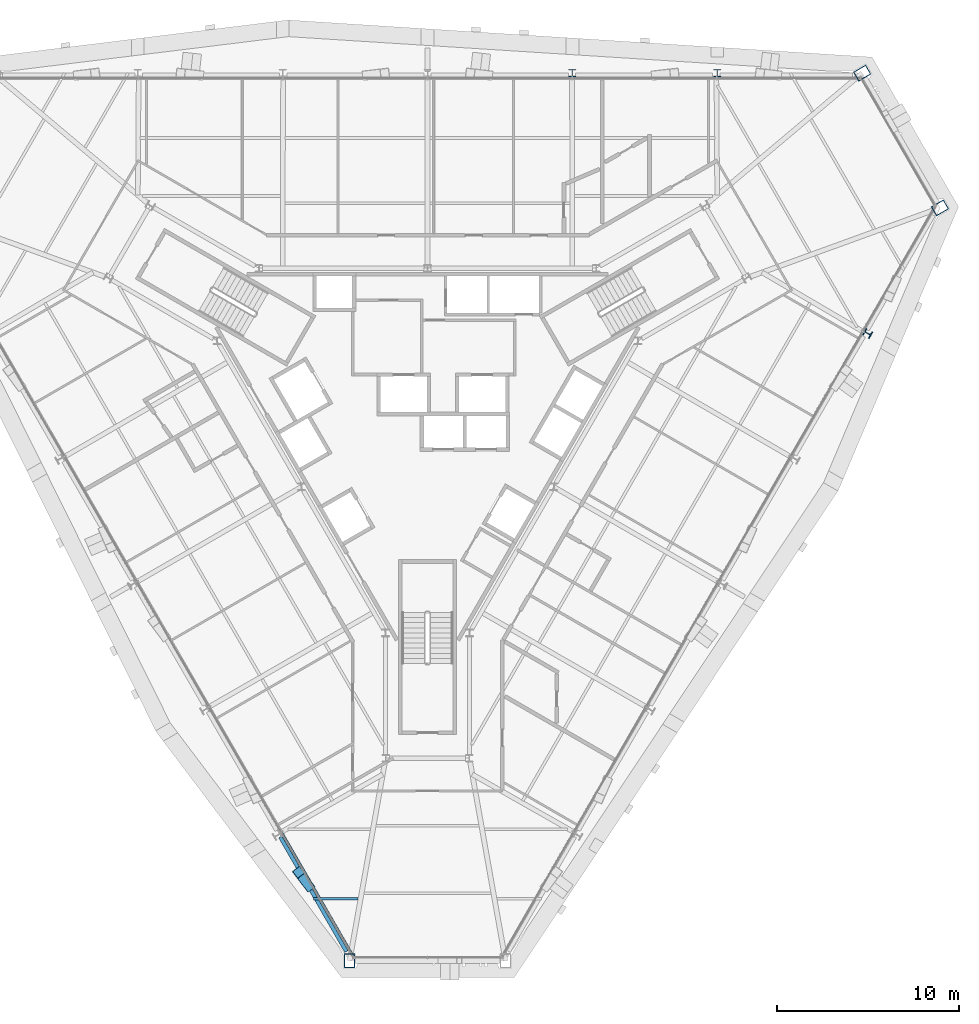
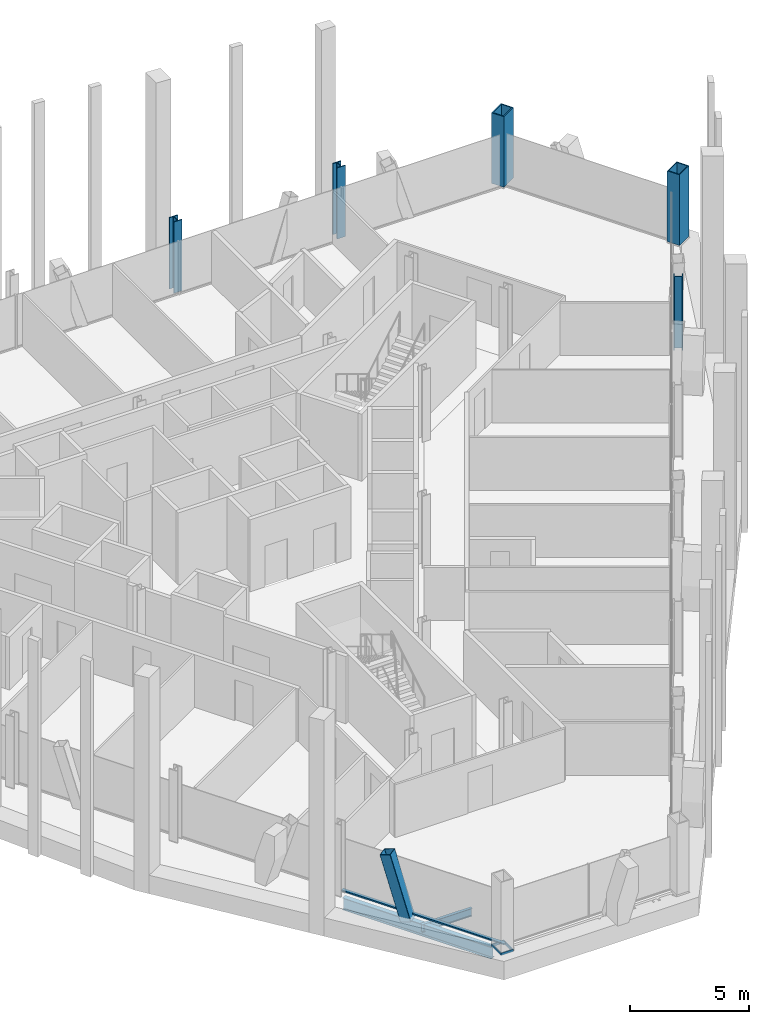
# One storey, part 2 of 15: 5 columns, 3 members, 2 beams, 1 element without a shape of its own.
"""IFC4 building model written with IfcOpenShell, lengths in metres."""

from ifc_helpers import new_model, si_unit, direction, frame, origin, origin_2d, place, context, subcontext, project, spatial, rectangle, hollow_rectangle, i_section, extrude, material, material_profile, profile_set, type_object, element, aggregate, save


model = new_model("IFC4")

# Units and contexts
model_context = context("Model", 3, precision=1e-05, world=origin(), true_north=direction((0.0, 1.0)))
body_context = subcontext(model_context, "Body", "Model", "MODEL_VIEW")
ifc_project = project(units=[si_unit("LENGTHUNIT", "METRE"), si_unit("AREAUNIT", "SQUARE_METRE"), si_unit("VOLUMEUNIT", "CUBIC_METRE"), si_unit("PLANEANGLEUNIT", "RADIAN"), si_unit("MASSUNIT", "GRAM", prefix="KILO")], contexts=[model_context])

# Site, building, storey
site_placement = place(None, origin())
site = spatial("IfcSite", under=ifc_project, at=site_placement, CompositionType="ELEMENT")
building_placement = place(site_placement, origin())
building = spatial("IfcBuilding", under=site, at=building_placement, Name="Verrane Prism Tower", CompositionType="ELEMENT")
storey_placement = place(building_placement, frame((0.0, 0.0, 189.5)))
storey = spatial("IfcBuildingStorey", under=building, at=storey_placement, Name="L47", CompositionType="ELEMENT", Elevation=189.5)

# Columns
ifc_material_1 = material(Name="Steel A572 Grade 50", Category="steel")
ifc_material_profile_1 = material_profile(ifc_material_1, hollow_rectangle(XDim=0.60009765625, YDim=0.800048828125, WallThickness=0.050048828125, at=origin_2d()), Name="BOX 800x600x50")
ifc_profile_set_1 = profile_set([ifc_material_profile_1], Name="Steel A572 Grade 50")
column_type_1 = type_object("IfcColumnType", Name="Megacolumn BOX 800x600x50", PredefinedType="COLUMN", material=ifc_profile_set_1)
for number, where, z_axis, x_axis, name in (
    (1, (23.860107421875, 18.7099609375, 0.06494140625), (0.0, 0.0, 1.0), (0.5, -0.866025403784, 0.0), "Megacolumn MC-NE.b L47"),
    (2, (28.1298828125, 11.31005859375, 0.06494140625), (0.0, 0.0, 1.0), (0.5, -0.866025403784, 0.0), "Megacolumn MC-NE.a L47"),
):
    element("IfcColumn", number, at=place(storey_placement, frame(where, z_axis=z_axis, x_axis=x_axis)), inside=storey, type_object=column_type_1, Name=name, PredefinedType="COLUMN", context=body_context, shape_type="SweptSolid", body=[
        extrude(hollow_rectangle(XDim=0.60009765625, YDim=0.800048828125, WallThickness=0.050048828125, at=origin_2d()), origin(), (0.0, 0.0, 1.0), 3.635009765625),
    ])
ifc_material_2 = material(Name="Steel A992", Category="steel")
ifc_material_profile_2 = material_profile(ifc_material_2, i_section(OverallWidth=0.406494140625, OverallDepth=0.41650390625, WebThickness=0.030029296875, FlangeThickness=0.048095703125, FilletRadius=0.01513671875, at=origin_2d()), Name="W14x257")
ifc_profile_set_2 = profile_set([ifc_material_profile_2], Name="Steel A992")
column_type_2 = type_object("IfcColumnType", Name="Perimeter column W14x257", PredefinedType="COLUMN", material=ifc_profile_set_2)
column_1_placement = place(storey_placement, frame((15.89990234375, 18.7099609375, 0.0400390625), z_axis=(0.0, 0.0, 1.0), x_axis=(1.0, 0.0, 0.0)))
element("IfcColumn", 3, at=column_1_placement, inside=storey, type_object=column_type_2, Name="Perimeter column PC-N1 L47", PredefinedType="COLUMN", context=body_context, shape_type="SweptSolid", body=[
    extrude(i_section(OverallWidth=0.406494140625, OverallDepth=0.41650390625, WebThickness=0.030029296875, FlangeThickness=0.048095703125, FilletRadius=0.01513671875, at=origin_2d()), origin(), (0.0, 0.0, 1.0), 3.659912109375),
])
column_2_placement = place(storey_placement, frame((7.949951171875, 18.7099609375, 0.034912109375), z_axis=(0.0, 0.0, 1.0), x_axis=(1.0, 0.0, 0.0)))
element("IfcColumn", 4, at=column_2_placement, inside=storey, type_object=column_type_2, Name="Perimeter column PC-N2 L47", PredefinedType="COLUMN", context=body_context, shape_type="SweptSolid", body=[
    extrude(i_section(OverallWidth=0.406494140625, OverallDepth=0.41650390625, WebThickness=0.030029296875, FlangeThickness=0.048095703125, FilletRadius=0.01513671875, at=origin_2d()), origin(), (0.0, 0.0, 1.0), 3.6650390625),
])
column_3_placement = place(storey_placement, frame((24.159912109375, 4.419921875, 0.0400390625), z_axis=(0.0, 0.0, 1.0), x_axis=(-0.5, -0.866025403784, 0.0)))
element("IfcColumn", 5, at=column_3_placement, inside=storey, type_object=column_type_2, Name="Perimeter column PC-SE5 L47", PredefinedType="COLUMN", context=body_context, shape_type="SweptSolid", body=[
    extrude(i_section(OverallWidth=0.406494140625, OverallDepth=0.41650390625, WebThickness=0.030029296875, FlangeThickness=0.048095703125, FilletRadius=0.01513671875, at=origin_2d()), origin(), (0.0, 0.0, 1.0), 3.659912109375),
])

# Member
ifc_material_3 = material(Name="Steel A500 Grade C", Category="steel")
ifc_material_profile_3 = material_profile(ifc_material_3, hollow_rectangle(XDim=0.508056640625, YDim=0.508056640625, WallThickness=0.01904296875, InnerFilletRadius=0.009521484375, OuterFilletRadius=0.028564453125, at=origin_2d()), Name="HSS20x20x3/4")
ifc_profile_set_3 = profile_set([ifc_material_profile_3], Name="Steel A500 Grade C")
member_type_1 = type_object("IfcMemberType", Name="Facade brace HSS20x20x3/4", PredefinedType="BRACE", material=ifc_profile_set_3)
member_1_placement = place(storey_placement, frame((-6.51220703125, -25.914794921875, -0.216796875), z_axis=(-0.170053182786, 0.225809525784, 0.959214247751), x_axis=(-0.79881655191, -0.601574697269, 0.0)))
element("IfcMember", 6, at=member_1_placement, inside=storey, type_object=member_type_1, Name="Facade brace SW5 L47", PredefinedType="BRACE", context=body_context, shape_type="SweptSolid", body=[
    extrude(hollow_rectangle(XDim=0.508056640625, YDim=0.508056640625, WallThickness=0.01904296875, InnerFilletRadius=0.009521484375, OuterFilletRadius=0.028564453125, at=origin_2d()), origin(), (0.0, 0.0, 1.0), 3.332275390625),
])

# Beam
ifc_material_4 = material(Name="Steel A992", Category="steel")
ifc_material_profile_4 = material_profile(ifc_material_4, i_section(OverallWidth=0.140380859375, OverallDepth=0.40380859375, WebThickness=0.007080078125, FlangeThickness=0.01123046875, FilletRadius=0.01025390625, at=origin_2d()), Name="W16x31")
ifc_profile_set_4 = profile_set([ifc_material_profile_4], Name="Steel A992")
beam_type_1 = type_object("IfcBeamType", Name="Floor beam W16x31", PredefinedType="BEAM", material=ifc_profile_set_4)
beam_1_placement = place(storey_placement, frame((-6.245849609375, -26.603271484375, -0.36181640625), z_axis=(1.0, 0.0, 0.0), x_axis=(0.0, 1.0, 0.0)))
element("IfcBeam", 7, at=beam_1_placement, inside=storey, type_object=beam_type_1, Name="Floor beam L47", PredefinedType="BEAM", context=body_context, shape_type="SweptSolid", body=[
    extrude(i_section(OverallWidth=0.140380859375, OverallDepth=0.40380859375, WebThickness=0.007080078125, FlangeThickness=0.01123046875, FilletRadius=0.01025390625, at=origin_2d()), origin(), (0.0, 0.0, 1.0), 2.43701171875),
])

# Member
ifc_material_5 = material(Name="Steel A572 Grade 50", Category="steel")
ifc_material_profile_5 = material_profile(ifc_material_5, hollow_rectangle(XDim=0.60009765625, YDim=0.800048828125, WallThickness=0.050048828125, at=origin_2d()), Name="BOX 800x600x50")
ifc_profile_set_5 = profile_set([ifc_material_profile_5], Name="Steel A572 Grade 50")
member_type_2 = type_object("IfcMemberType", Name="Kink node BOX 800x600x50", PredefinedType="COLLAR", material=ifc_profile_set_5)
member_2_placement = place(storey_placement, frame((-4.2763671875, -30.013916015625, -0.06494140625), z_axis=(0.0, 0.0, 1.0), x_axis=(-1.0, 0.0, 0.0)))
element("IfcMember", 8, at=member_2_placement, inside=storey, type_object=member_type_2, Name="Kink node MC4 L47", PredefinedType="COLLAR", context=body_context, shape_type="SweptSolid", body=[
    extrude(hollow_rectangle(XDim=0.60009765625, YDim=0.800048828125, WallThickness=0.050048828125, at=origin_2d()), origin(), (0.0, 0.0, 1.0), 0.1298828125),
])

# Beam
ifc_material_6 = material(Name="Steel A992", Category="steel")
ifc_material_profile_6 = material_profile(ifc_material_6, i_section(OverallWidth=0.23046875, OverallDepth=0.6171875, WebThickness=0.01318359375, FlangeThickness=0.022216796875, FilletRadius=0.012939453125, at=origin_2d()), Name="W24x94")
ifc_profile_set_6 = profile_set([ifc_material_profile_6], Name="Steel A992")
beam_type_2 = type_object("IfcBeamType", Name="Spandrel beam W24x94", PredefinedType="SPANDREL", material=ifc_profile_set_6)
beam_2_placement = place(storey_placement, frame((-8.071044921875, -23.21044921875, -0.468505859375), z_axis=(0.499378153169, -0.866384129666, 0.0), x_axis=(0.866384129666, 0.499378153169, 0.0)))
element("IfcBeam", 9, at=beam_2_placement, inside=storey, type_object=beam_type_2, Name="Spandrel beam L47", PredefinedType="SPANDREL", context=body_context, shape_type="SweptSolid", body=[
    extrude(i_section(OverallWidth=0.23046875, OverallDepth=0.6171875, WebThickness=0.01318359375, FlangeThickness=0.022216796875, FilletRadius=0.012939453125, at=origin_2d()), origin(), (0.0, 0.0, 1.0), 7.264892578125),
])

# Curtain wall, member
ifc_material_7 = material(Name="Aluminium framed insulated glazing", Category="aluminium")
curtain_wall_type = type_object("IfcCurtainWallType", Name="Curtain wall CW-A 8400 module", PredefinedType="NOTDEFINED", material=ifc_material_7)
curtain_wall_placement = place(storey_placement, origin())
curtain_wall = element("IfcCurtainWall", 10, at=curtain_wall_placement, inside=storey, type_object=curtain_wall_type, Name="Glazed curtain wall south-west face L47", PredefinedType="NOTDEFINED")
ifc_material_8 = material(Name="Aluminium alloy 6063-T6", Category="aluminium")
ifc_material_profile_7 = material_profile(ifc_material_8, rectangle(XDim=0.14990234375, YDim=0.070068359375, at=origin_2d()), Name="Transom 70x150 aluminium")
ifc_profile_set_7 = profile_set([ifc_material_profile_7], Name="Aluminium alloy 6063-T6")
member_type_3 = type_object("IfcMemberType", Name="Transom 70x150 aluminium", PredefinedType="USERDEFINED", material=ifc_profile_set_7)
member_3_placement = place(storey_placement, frame((-8.006591796875, -22.994140625, 0.034912109375), z_axis=(0.499980071345, -0.866036909293, 0.0), x_axis=(0.866036909293, 0.499980071345, 0.0)))
member_3 = element("IfcMember", 11, at=member_3_placement, type_object=member_type_3, Name="CW47.4 transom 6", ObjectType="TRANSOM", PredefinedType="USERDEFINED", context=body_context, shape_type="SweptSolid", body=[
    extrude(rectangle(XDim=0.14990234375, YDim=0.070068359375, at=origin_2d()), origin(), (0.0, 0.0, 1.0), 7.902587890625),
])
aggregate(curtain_wall, [member_3])

save(model, "model.ifc")
